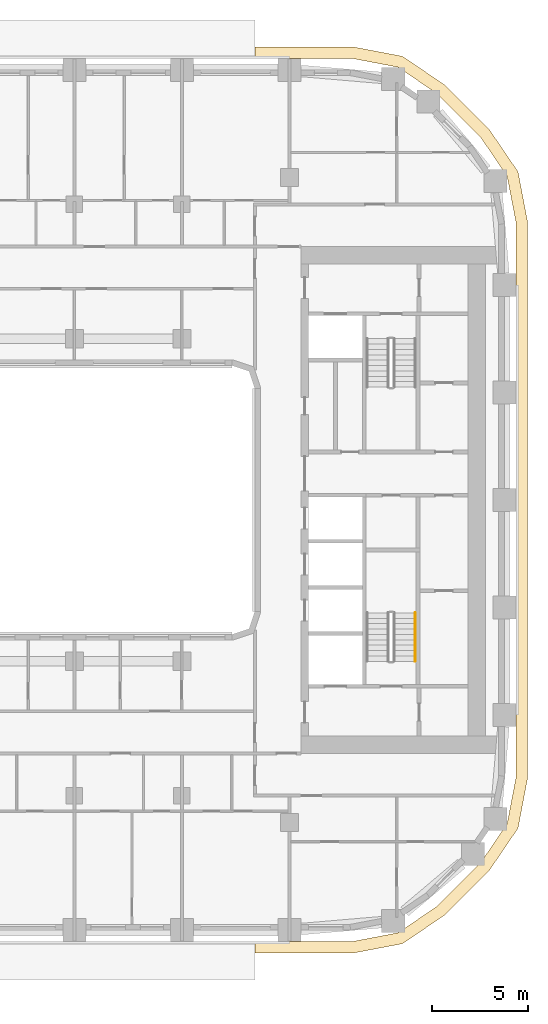
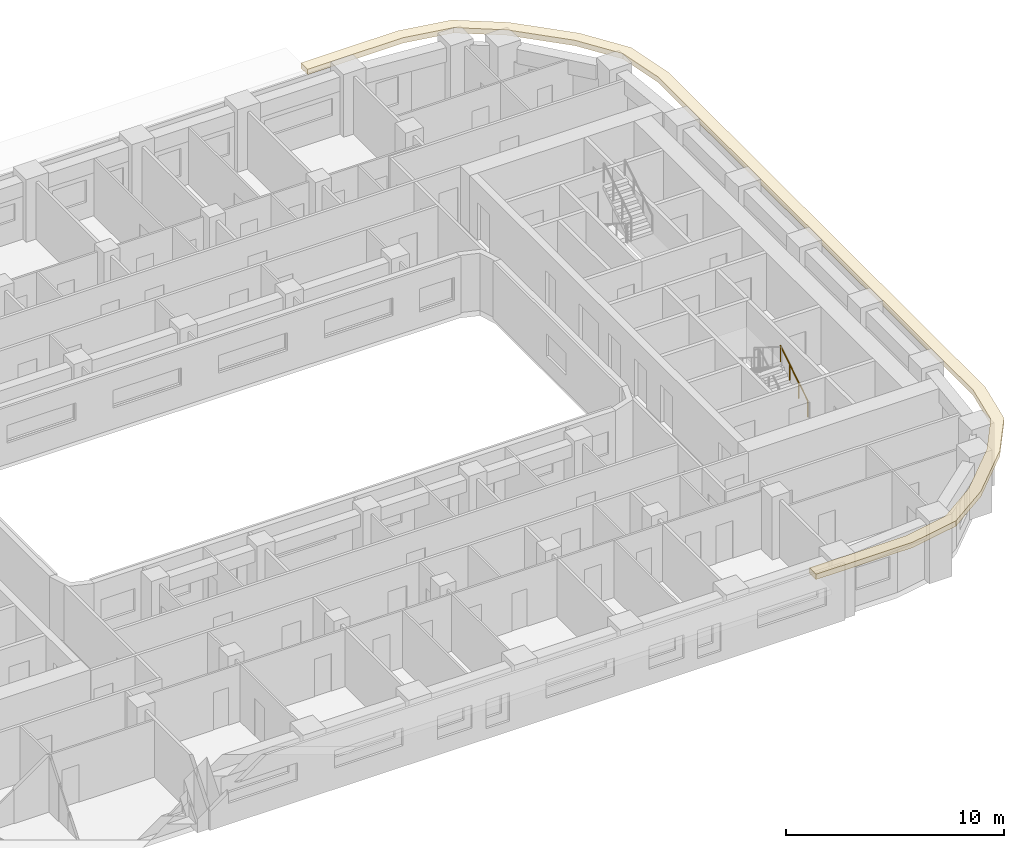
# One storey, part 19 of 23: 1 covering, 1 railing.
"""IFC4 building model written with IfcOpenShell, lengths in metres."""

from ifc_helpers import new_model, si_unit, direction, frame, origin, origin_2d, place, context, subcontext, project, spatial, polyline, circle, outline, extrude, material, layer, layer_set, type_object, element, save


model = new_model("IFC4")

# Units and contexts
model_context = context("Model", 3, precision=1e-05, world=origin(), true_north=direction((0.0, 1.0)))
body_context = subcontext(model_context, "Body", "Model", "MODEL_VIEW")
ifc_project = project(units=[si_unit("LENGTHUNIT", "METRE"), si_unit("AREAUNIT", "SQUARE_METRE"), si_unit("VOLUMEUNIT", "CUBIC_METRE"), si_unit("PLANEANGLEUNIT", "RADIAN"), si_unit("MASSUNIT", "GRAM", prefix="KILO")], contexts=[model_context])

# Site, building, storey
site_placement = place(None, origin())
site = spatial("IfcSite", under=ifc_project, at=site_placement, CompositionType="ELEMENT")
building_placement = place(site_placement, origin())
building = spatial("IfcBuilding", under=site, at=building_placement, Name="Kiln Ring Residences", CompositionType="ELEMENT")
storey_placement = place(building_placement, frame((0.0, 0.0, 118.300048828125)))
storey = spatial("IfcBuildingStorey", under=building, at=storey_placement, Name="L30", CompositionType="ELEMENT", Elevation=118.300048828125)

# Railing
ifc_material_1 = material(Name="Stainless steel", Category="steel")
railing_type = type_object("IfcRailingType", Name="CORE-STAIR-HANDRAIL", PredefinedType="HANDRAIL", material=ifc_material_1)
railing_placement = place(storey_placement, frame((23.35009765625, -8.39990234375, 0.175048828125)))
element("IfcRailing", 1, at=railing_placement, inside=storey, type_object=railing_type, Name="L30 E-STS stair handrail 1", PredefinedType="HANDRAIL", context=body_context, shape_type="SweptSolid", body=[
    extrude(circle(Radius=0.02392578125, at=origin_2d()), frame((0.0, 0.0, 0.8759765625), z_axis=(0.0, 0.848007534815, 0.529984170421), x_axis=(-1.0, 0.0, 0.0)), (0.0, 0.0, 1.0), 2.9716796875),
    extrude(circle(Radius=0.02099609375, at=origin_2d()), origin(), (0.0, 0.0, 1.0), 0.851806640625),
    extrude(circle(Radius=0.02099609375, at=origin_2d()), frame((0.0, 0.840087890625, 0.52490234375)), (0.0, 0.0, 1.0), 0.851806640625),
    extrude(circle(Radius=0.02099609375, at=origin_2d()), frame((0.0, 1.679931640625, 1.050048828125)), (0.0, 0.0, 1.0), 0.851806640625),
    extrude(circle(Radius=0.02099609375, at=origin_2d()), frame((0.0, 2.52001953125, 1.574951171875)), (0.0, 0.0, 1.0), 0.851806640625),
])

# Covering
ifc_material_2 = material(Name="Black powder-coated steel", Category="steel")
ifc_layer = layer(ifc_material_2, 0.300048828125)
ifc_layer_set = layer_set([ifc_layer], Name="SUNSHADE FIN 600")
covering_type = type_object("IfcCoveringType", Name="SUNSHADE FIN 600", PredefinedType="CLADDING", material=ifc_layer_set)
covering_placement = place(storey_placement, frame((0.0, 0.0, 3.199951171875)))
element("IfcCovering", 2, at=covering_placement, inside=storey, type_object=covering_type, Name="SUNSHADE FIN L30", PredefinedType="CLADDING", context=body_context, shape_type="SweptSolid", body=[
    extrude(outline(polyline([(20.11328125, 23.60009765625), (15.0, 23.60009765625), (15.0, 23.0), (20.056640625, 23.0), (22.458740234375, 22.541748046875), (24.481201171875, 21.167236328125), (26.767333984375, 18.881103515625), (28.141845703125, 16.858642578125), (28.60009765625, 14.456787109375), (28.60009765625, -14.456787109375), (28.141845703125, -16.858642578125), (26.767333984375, -18.881103515625), (24.481201171875, -21.167236328125), (22.458740234375, -22.541748046875), (20.056640625, -23.0), (15.0, -23.0), (15.0, -23.60009765625), (20.11328125, -23.60009765625), (22.693115234375, -23.10791015625), (24.865478515625, -21.631591796875), (27.231689453125, -19.265380859375), (28.7080078125, -17.09326171875), (29.199951171875, -14.513427734375), (29.199951171875, 14.513427734375), (28.7080078125, 17.09326171875), (27.231689453125, 19.265380859375), (24.865478515625, 21.631591796875), (22.693115234375, 23.10791015625), (20.11328125, 23.60009765625)])), origin(), (0.0, 0.0, 1.0), 0.300048828125),
])

save(model, "model.ifc")
